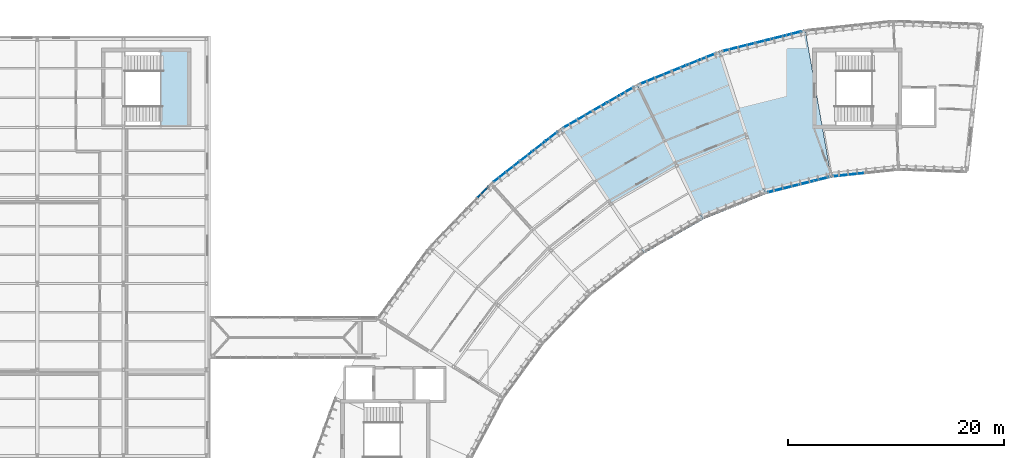
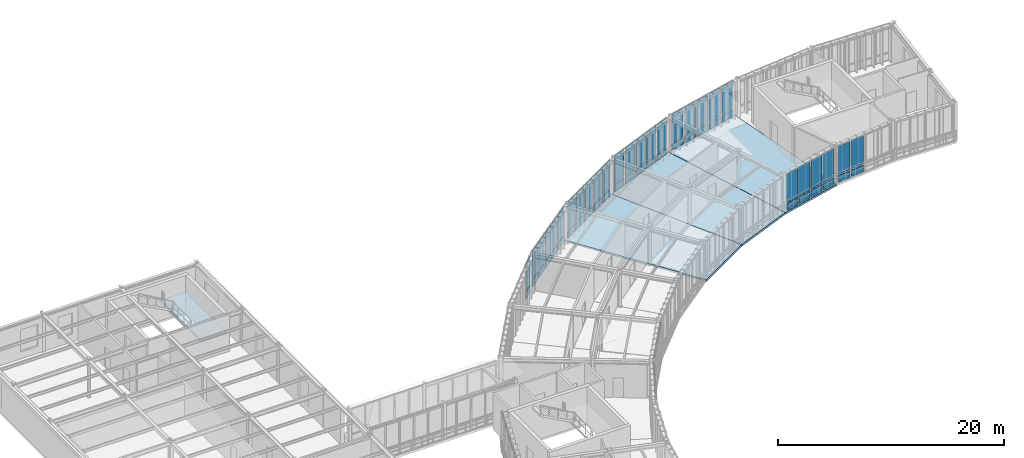
# One storey, part 28 of 52: 54 plates, 4 slabs, 8 elements without a shape of their own.
"""IFC4 building model written with IfcOpenShell, lengths in metres."""

from ifc_helpers import new_model, si_unit, direction, frame, origin, origin_2d, place, context, subcontext, project, spatial, polyline, rectangle, outline, extrude, material, layer, layer_set, type_object, element, aggregate, save


model = new_model("IFC4")

# Units and contexts
model_context = context("Model", 3, precision=1e-05, world=origin(), true_north=direction((0.0, 1.0)))
body_context = subcontext(model_context, "Body", "Model", "MODEL_VIEW")
ifc_project = project(units=[si_unit("LENGTHUNIT", "METRE"), si_unit("AREAUNIT", "SQUARE_METRE"), si_unit("VOLUMEUNIT", "CUBIC_METRE"), si_unit("PLANEANGLEUNIT", "RADIAN"), si_unit("MASSUNIT", "GRAM", prefix="KILO"), si_unit("THERMODYNAMICTEMPERATUREUNIT", "KELVIN"), si_unit("POWERUNIT", "WATT")], contexts=[model_context])

# Site, building, storey
site_placement = place(None, origin())
site = spatial("IfcSite", under=ifc_project, at=site_placement, CompositionType="ELEMENT")
building_placement = place(site_placement, origin())
building = spatial("IfcBuilding", under=site, at=building_placement, Name="Solvatero Civic Police Headquarters", CompositionType="ELEMENT")
storey_placement = place(building_placement, frame((0.0, 0.0, 13.5)))
storey = spatial("IfcBuildingStorey", under=building, at=storey_placement, Name="L03", CompositionType="ELEMENT", Elevation=13.5)

# Curtain wall, plate
ifc_material_1 = material(Name="Anodized Bronze Aluminium", Category="aluminium")
ifc_layer_1 = layer(ifc_material_1, 0.179931640625)
ifc_layer_set_1 = layer_set([ifc_layer_1], Name="Anodized Bronze Aluminium")
curtain_wall_type_1 = type_object("IfcCurtainWallType", Name="CW-ARC-IN", PredefinedType="USERDEFINED", material=ifc_layer_set_1)
curtain_wall_1_placement = place(storey_placement, origin())
curtain_wall_1 = element("IfcCurtainWall", 1, at=curtain_wall_1_placement, inside=storey, type_object=curtain_wall_type_1, Name="Curtain Wall CW-R2-L03-ARC-IN-B02", ObjectType="UNITISED", PredefinedType="USERDEFINED")
ifc_material_2 = material(Name="Triple Low-E Laminated Glass", Category="glass")
ifc_layer_2 = layer(ifc_material_2, 0.0380859375)
ifc_layer_set_2 = layer_set([ifc_layer_2], Name="Triple Low-E Laminated Glass")
plate_type_1 = type_object("IfcPlateType", Name="CWP-GLZ-38", PredefinedType="CURTAIN_PANEL", material=ifc_layer_set_2)
plate_1_placement = place(storey_placement, frame((88.51953125, 70.681884765625, 0.91015625), z_axis=(0.0, 0.0, 1.0), x_axis=(-0.994521895368, -0.104528463268, 0.0)))
plate_1 = element("IfcPlate", 2, at=plate_1_placement, type_object=plate_type_1, Name="CW-R2-L03-ARC-IN-B02 Vision Glazing 3", PredefinedType="CURTAIN_PANEL", context=body_context, shape_type="SweptSolid", body=[
    extrude(rectangle(XDim=1.29150390625, YDim=0.0380859375, at=origin_2d()), origin(), (0.0, 0.0, 1.0), 3.030029296875),
])

# Curtain wall, plates
ifc_layer_3 = layer(ifc_material_1, 0.179931640625)
ifc_layer_set_3 = layer_set([ifc_layer_3], Name="Anodized Bronze Aluminium")
curtain_wall_type_2 = type_object("IfcCurtainWallType", Name="CW-ARC-OUT", PredefinedType="USERDEFINED", material=ifc_layer_set_3)
curtain_wall_2_placement = place(storey_placement, origin())
curtain_wall_2 = element("IfcCurtainWall", 3, at=curtain_wall_2_placement, inside=storey, type_object=curtain_wall_type_2, Name="Curtain Wall CW-R2-L03-ARC-OUT-B03", ObjectType="UNITISED", PredefinedType="USERDEFINED")
plate_2_placement = place(storey_placement, frame((81.275390625, 83.362060546875, 0.91015625), z_axis=(0.0, 0.0, 1.0), x_axis=(-0.970295726276, -0.2419218956, 0.0)))
plate_2 = element("IfcPlate", 4, at=plate_2_placement, type_object=plate_type_1, Name="CW-R2-L03-ARC-OUT-B03 Vision Glazing 2", PredefinedType="CURTAIN_PANEL", context=body_context, shape_type="SweptSolid", body=[
    extrude(rectangle(XDim=1.3505859375, YDim=0.0380859375, at=origin_2d()), origin(), (0.0, 0.0, 1.0), 3.030029296875),
])
plate_3_placement = place(storey_placement, frame((78.305419921875, 82.62158203125, 0.91015625), z_axis=(0.0, 0.0, 1.0), x_axis=(-0.970295726276, -0.2419218956, 0.0)))
plate_3 = element("IfcPlate", 5, at=plate_3_placement, type_object=plate_type_1, Name="CW-R2-L03-ARC-OUT-B03 Vision Glazing 4", PredefinedType="CURTAIN_PANEL", context=body_context, shape_type="SweptSolid", body=[
    extrude(rectangle(XDim=1.3505859375, YDim=0.0380859375, at=origin_2d()), origin(), (0.0, 0.0, 1.0), 3.030029296875),
])

curtain_wall_3_placement = place(storey_placement, origin())
curtain_wall_3 = element("IfcCurtainWall", 6, at=curtain_wall_3_placement, inside=storey, type_object=curtain_wall_type_1, Name="Curtain Wall CW-R2-L03-ARC-IN-B03", ObjectType="UNITISED", PredefinedType="USERDEFINED")
plate_4_placement = place(storey_placement, frame((85.29248046875, 70.217041015625, 0.91015625), z_axis=(0.0, 0.0, 1.0), x_axis=(-0.970299948462, -0.241904960708, 0.0)))
plate_4 = element("IfcPlate", 7, at=plate_4_placement, type_object=plate_type_1, Name="CW-R2-L03-ARC-IN-B03 Vision Glazing 1", PredefinedType="CURTAIN_PANEL", context=body_context, shape_type="SweptSolid", body=[
    extrude(rectangle(XDim=1.297607421875, YDim=0.0380859375, at=origin_2d()), origin(), (0.0, 0.0, 1.0), 3.030029296875),
])
plate_5_placement = place(storey_placement, frame((82.425048828125, 69.501953125, 0.91015625), z_axis=(0.0, 0.0, 1.0), x_axis=(-0.970299948462, -0.241904960708, 0.0)))
plate_5 = element("IfcPlate", 8, at=plate_5_placement, type_object=plate_type_1, Name="CW-R2-L03-ARC-IN-B03 Vision Glazing 3", PredefinedType="CURTAIN_PANEL", context=body_context, shape_type="SweptSolid", body=[
    extrude(rectangle(XDim=1.297607421875, YDim=0.0380859375, at=origin_2d()), origin(), (0.0, 0.0, 1.0), 3.030029296875),
])

curtain_wall_4_placement = place(storey_placement, origin())
curtain_wall_4 = element("IfcCurtainWall", 9, at=curtain_wall_4_placement, inside=storey, type_object=curtain_wall_type_2, Name="Curtain Wall CW-R2-L03-ARC-OUT-B04", ObjectType="UNITISED", PredefinedType="USERDEFINED")
plate_6_placement = place(storey_placement, frame((73.416015625, 81.032958984375, 0.91015625), z_axis=(0.0, 0.0, 1.0), x_axis=(-0.927190392544, -0.374590410948, 0.0)))
plate_6 = element("IfcPlate", 10, at=plate_6_placement, type_object=plate_type_1, Name="CW-R2-L03-ARC-OUT-B04 Vision Glazing 2", PredefinedType="CURTAIN_PANEL", context=body_context, shape_type="SweptSolid", body=[
    extrude(rectangle(XDim=1.3505859375, YDim=0.0380859375, at=origin_2d()), origin(), (0.0, 0.0, 1.0), 3.030029296875),
])
plate_7_placement = place(storey_placement, frame((70.577880859375, 79.88623046875, 0.91015625), z_axis=(0.0, 0.0, 1.0), x_axis=(-0.927190392544, -0.374590410948, 0.0)))
plate_7 = element("IfcPlate", 11, at=plate_7_placement, type_object=plate_type_1, Name="CW-R2-L03-ARC-OUT-B04 Vision Glazing 4", PredefinedType="CURTAIN_PANEL", context=body_context, shape_type="SweptSolid", body=[
    extrude(rectangle(XDim=1.3505859375, YDim=0.0380859375, at=origin_2d()), origin(), (0.0, 0.0, 1.0), 3.030029296875),
])

curtain_wall_5_placement = place(storey_placement, origin())
curtain_wall_5 = element("IfcCurtainWall", 12, at=curtain_wall_5_placement, inside=storey, type_object=curtain_wall_type_2, Name="Curtain Wall CW-R2-L03-ARC-OUT-B05", ObjectType="UNITISED", PredefinedType="USERDEFINED")
plate_8_placement = place(storey_placement, frame((65.957275390625, 77.632568359375, 0.91015625), z_axis=(0.0, 0.0, 1.0), x_axis=(-0.866034130299, -0.499984884929, 0.0)))
plate_8 = element("IfcPlate", 13, at=plate_8_placement, type_object=plate_type_1, Name="CW-R2-L03-ARC-OUT-B05 Vision Glazing 2", PredefinedType="CURTAIN_PANEL", context=body_context, shape_type="SweptSolid", body=[
    extrude(rectangle(XDim=1.3505859375, YDim=0.0380859375, at=origin_2d()), origin(), (0.0, 0.0, 1.0), 3.030029296875),
])
plate_9_placement = place(storey_placement, frame((63.306396484375, 76.10205078125, 0.91015625), z_axis=(0.0, 0.0, 1.0), x_axis=(-0.866034130299, -0.499984884929, 0.0)))
plate_9 = element("IfcPlate", 14, at=plate_9_placement, type_object=plate_type_1, Name="CW-R2-L03-ARC-OUT-B05 Vision Glazing 4", PredefinedType="CURTAIN_PANEL", context=body_context, shape_type="SweptSolid", body=[
    extrude(rectangle(XDim=1.3505859375, YDim=0.0380859375, at=origin_2d()), origin(), (0.0, 0.0, 1.0), 3.030029296875),
])

curtain_wall_6_placement = place(storey_placement, origin())
curtain_wall_6 = element("IfcCurtainWall", 15, at=curtain_wall_6_placement, inside=storey, type_object=curtain_wall_type_2, Name="Curtain Wall CW-R2-L03-ARC-OUT-B06", ObjectType="UNITISED", PredefinedType="USERDEFINED")
plate_10_placement = place(storey_placement, frame((59.044189453125, 73.227294921875, 0.91015625), z_axis=(0.0, 0.0, 1.0), x_axis=(-0.788021498807, -0.61564772185, 0.0)))
plate_10 = element("IfcPlate", 16, at=plate_10_placement, type_object=plate_type_1, Name="CW-R2-L03-ARC-OUT-B06 Vision Glazing 2", PredefinedType="CURTAIN_PANEL", context=body_context, shape_type="SweptSolid", body=[
    extrude(rectangle(XDim=1.3505859375, YDim=0.0380859375, at=origin_2d()), origin(), (0.0, 0.0, 1.0), 3.030029296875),
])
plate_11_placement = place(storey_placement, frame((56.632080078125, 71.3427734375, 0.91015625), z_axis=(0.0, 0.0, 1.0), x_axis=(-0.788021498807, -0.61564772185, 0.0)))
plate_11 = element("IfcPlate", 17, at=plate_11_placement, type_object=plate_type_1, Name="CW-R2-L03-ARC-OUT-B06 Vision Glazing 4", PredefinedType="CURTAIN_PANEL", context=body_context, shape_type="SweptSolid", body=[
    extrude(rectangle(XDim=1.3505859375, YDim=0.0380859375, at=origin_2d()), origin(), (0.0, 0.0, 1.0), 3.030029296875),
])

# Plate
ifc_material_3 = material(Name="Acoustic Ballistic Laminated Glass", Category="glass")
ifc_layer_4 = layer(ifc_material_3, 0.0439453125)
ifc_layer_set_4 = layer_set([ifc_layer_4], Name="Acoustic Ballistic Laminated Glass")
plate_type_2 = type_object("IfcPlateType", Name="CWP-GLZ-44", PredefinedType="CURTAIN_PANEL", material=ifc_layer_set_4)
plate_12_placement = place(storey_placement, frame((87.056396484375, 70.5283203125, 0.91015625), z_axis=(0.0, 0.0, 1.0), x_axis=(-0.994521895368, -0.104528463268, 0.0)))
plate_12 = element("IfcPlate", 18, at=plate_12_placement, type_object=plate_type_2, Name="CW-R2-L03-ARC-IN-B02 Vision Glazing 4", PredefinedType="CURTAIN_PANEL", context=body_context, shape_type="SweptSolid", body=[
    extrude(rectangle(XDim=1.29150390625, YDim=0.0439453125, at=origin_2d()), origin(), (0.0, 0.0, 1.0), 3.030029296875),
])

plate_13_placement = place(storey_placement, frame((82.760498046875, 83.732421875, 0.91015625), z_axis=(0.0, 0.0, 1.0), x_axis=(-0.970295726276, -0.2419218956, 0.0)))
plate_13 = element("IfcPlate", 19, at=plate_13_placement, type_object=plate_type_2, Name="CW-R2-L03-ARC-OUT-B03 Vision Glazing 1", PredefinedType="CURTAIN_PANEL", context=body_context, shape_type="SweptSolid", body=[
    extrude(rectangle(XDim=1.3505859375, YDim=0.0439453125, at=origin_2d()), origin(), (0.0, 0.0, 1.0), 3.030029296875),
])

plate_14_placement = place(storey_placement, frame((79.790283203125, 82.99169921875, 0.91015625), z_axis=(0.0, 0.0, 1.0), x_axis=(-0.970295726276, -0.2419218956, 0.0)))
plate_14 = element("IfcPlate", 20, at=plate_14_placement, type_object=plate_type_2, Name="CW-R2-L03-ARC-OUT-B03 Vision Glazing 3", PredefinedType="CURTAIN_PANEL", context=body_context, shape_type="SweptSolid", body=[
    extrude(rectangle(XDim=1.3505859375, YDim=0.0439453125, at=origin_2d()), origin(), (0.0, 0.0, 1.0), 3.030029296875),
])

plate_15_placement = place(storey_placement, frame((76.8203125, 82.251220703125, 0.91015625), z_axis=(0.0, 0.0, 1.0), x_axis=(-0.970295726276, -0.2419218956, 0.0)))
plate_15 = element("IfcPlate", 21, at=plate_15_placement, type_object=plate_type_2, Name="CW-R2-L03-ARC-OUT-B03 Vision Glazing 5", PredefinedType="CURTAIN_PANEL", context=body_context, shape_type="SweptSolid", body=[
    extrude(rectangle(XDim=1.3505859375, YDim=0.0439453125, at=origin_2d()), origin(), (0.0, 0.0, 1.0), 3.030029296875),
])

plate_16_placement = place(storey_placement, frame((83.85888671875, 69.859619140625, 0.91015625), z_axis=(0.0, 0.0, 1.0), x_axis=(-0.970299948462, -0.241904960708, 0.0)))
plate_16 = element("IfcPlate", 22, at=plate_16_placement, type_object=plate_type_2, Name="CW-R2-L03-ARC-IN-B03 Vision Glazing 2", PredefinedType="CURTAIN_PANEL", context=body_context, shape_type="SweptSolid", body=[
    extrude(rectangle(XDim=1.297607421875, YDim=0.0439453125, at=origin_2d()), origin(), (0.0, 0.0, 1.0), 3.030029296875),
])

plate_17_placement = place(storey_placement, frame((80.9912109375, 69.14453125, 0.91015625), z_axis=(0.0, 0.0, 1.0), x_axis=(-0.970299948462, -0.241904960708, 0.0)))
plate_17 = element("IfcPlate", 23, at=plate_17_placement, type_object=plate_type_2, Name="CW-R2-L03-ARC-IN-B03 Vision Glazing 4", PredefinedType="CURTAIN_PANEL", context=body_context, shape_type="SweptSolid", body=[
    extrude(rectangle(XDim=1.297607421875, YDim=0.0439453125, at=origin_2d()), origin(), (0.0, 0.0, 1.0), 3.030029296875),
])

plate_18_placement = place(storey_placement, frame((74.835205078125, 81.606201171875, 0.91015625), z_axis=(0.0, 0.0, 1.0), x_axis=(-0.927190392544, -0.374590410948, 0.0)))
plate_18 = element("IfcPlate", 24, at=plate_18_placement, type_object=plate_type_2, Name="CW-R2-L03-ARC-OUT-B04 Vision Glazing 1", PredefinedType="CURTAIN_PANEL", context=body_context, shape_type="SweptSolid", body=[
    extrude(rectangle(XDim=1.3505859375, YDim=0.0439453125, at=origin_2d()), origin(), (0.0, 0.0, 1.0), 3.030029296875),
])

plate_19_placement = place(storey_placement, frame((71.996826171875, 80.459716796875, 0.91015625), z_axis=(0.0, 0.0, 1.0), x_axis=(-0.927190392544, -0.374590410948, 0.0)))
plate_19 = element("IfcPlate", 25, at=plate_19_placement, type_object=plate_type_2, Name="CW-R2-L03-ARC-OUT-B04 Vision Glazing 3", PredefinedType="CURTAIN_PANEL", context=body_context, shape_type="SweptSolid", body=[
    extrude(rectangle(XDim=1.3505859375, YDim=0.0439453125, at=origin_2d()), origin(), (0.0, 0.0, 1.0), 3.030029296875),
])

plate_20_placement = place(storey_placement, frame((69.15869140625, 79.31298828125, 0.91015625), z_axis=(0.0, 0.0, 1.0), x_axis=(-0.927190392544, -0.374590410948, 0.0)))
plate_20 = element("IfcPlate", 26, at=plate_20_placement, type_object=plate_type_2, Name="CW-R2-L03-ARC-OUT-B04 Vision Glazing 5", PredefinedType="CURTAIN_PANEL", context=body_context, shape_type="SweptSolid", body=[
    extrude(rectangle(XDim=1.3505859375, YDim=0.0439453125, at=origin_2d()), origin(), (0.0, 0.0, 1.0), 3.030029296875),
])

plate_21_placement = place(storey_placement, frame((67.28271484375, 78.397705078125, 0.91015625), z_axis=(0.0, 0.0, 1.0), x_axis=(-0.866034130299, -0.499984884929, 0.0)))
plate_21 = element("IfcPlate", 27, at=plate_21_placement, type_object=plate_type_2, Name="CW-R2-L03-ARC-OUT-B05 Vision Glazing 1", PredefinedType="CURTAIN_PANEL", context=body_context, shape_type="SweptSolid", body=[
    extrude(rectangle(XDim=1.3505859375, YDim=0.0439453125, at=origin_2d()), origin(), (0.0, 0.0, 1.0), 3.030029296875),
])

plate_22_placement = place(storey_placement, frame((64.631591796875, 76.8671875, 0.91015625), z_axis=(0.0, 0.0, 1.0), x_axis=(-0.866034130299, -0.499984884929, 0.0)))
plate_22 = element("IfcPlate", 28, at=plate_22_placement, type_object=plate_type_2, Name="CW-R2-L03-ARC-OUT-B05 Vision Glazing 3", PredefinedType="CURTAIN_PANEL", context=body_context, shape_type="SweptSolid", body=[
    extrude(rectangle(XDim=1.3505859375, YDim=0.0439453125, at=origin_2d()), origin(), (0.0, 0.0, 1.0), 3.030029296875),
])

plate_23_placement = place(storey_placement, frame((61.98095703125, 75.3369140625, 0.91015625), z_axis=(0.0, 0.0, 1.0), x_axis=(-0.866034130299, -0.499984884929, 0.0)))
plate_23 = element("IfcPlate", 29, at=plate_23_placement, type_object=plate_type_2, Name="CW-R2-L03-ARC-OUT-B05 Vision Glazing 5", PredefinedType="CURTAIN_PANEL", context=body_context, shape_type="SweptSolid", body=[
    extrude(rectangle(XDim=1.3505859375, YDim=0.0439453125, at=origin_2d()), origin(), (0.0, 0.0, 1.0), 3.030029296875),
])

plate_24_placement = place(storey_placement, frame((60.250244140625, 74.169677734375, 0.91015625), z_axis=(0.0, 0.0, 1.0), x_axis=(-0.788021498807, -0.61564772185, 0.0)))
plate_24 = element("IfcPlate", 30, at=plate_24_placement, type_object=plate_type_2, Name="CW-R2-L03-ARC-OUT-B06 Vision Glazing 1", PredefinedType="CURTAIN_PANEL", context=body_context, shape_type="SweptSolid", body=[
    extrude(rectangle(XDim=1.3505859375, YDim=0.0439453125, at=origin_2d()), origin(), (0.0, 0.0, 1.0), 3.030029296875),
])

plate_25_placement = place(storey_placement, frame((57.838134765625, 72.284912109375, 0.91015625), z_axis=(0.0, 0.0, 1.0), x_axis=(-0.788021498807, -0.61564772185, 0.0)))
plate_25 = element("IfcPlate", 31, at=plate_25_placement, type_object=plate_type_2, Name="CW-R2-L03-ARC-OUT-B06 Vision Glazing 3", PredefinedType="CURTAIN_PANEL", context=body_context, shape_type="SweptSolid", body=[
    extrude(rectangle(XDim=1.3505859375, YDim=0.0439453125, at=origin_2d()), origin(), (0.0, 0.0, 1.0), 3.030029296875),
])

plate_26_placement = place(storey_placement, frame((55.426025390625, 70.400390625, 0.91015625), z_axis=(0.0, 0.0, 1.0), x_axis=(-0.788021498807, -0.61564772185, 0.0)))
plate_26 = element("IfcPlate", 32, at=plate_26_placement, type_object=plate_type_2, Name="CW-R2-L03-ARC-OUT-B06 Vision Glazing 5", PredefinedType="CURTAIN_PANEL", context=body_context, shape_type="SweptSolid", body=[
    extrude(rectangle(XDim=1.3505859375, YDim=0.0439453125, at=origin_2d()), origin(), (0.0, 0.0, 1.0), 3.030029296875),
])

# Curtain wall, plate
curtain_wall_7_placement = place(storey_placement, origin())
curtain_wall_7 = element("IfcCurtainWall", 33, at=curtain_wall_7_placement, inside=storey, type_object=curtain_wall_type_2, Name="Curtain Wall CW-R2-L03-ARC-OUT-B07", ObjectType="UNITISED", PredefinedType="USERDEFINED")
plate_27_placement = place(storey_placement, frame((53.874755859375, 69.003662109375, 0.91015625), z_axis=(0.0, 0.0, 1.0), x_axis=(-0.694645815505, -0.719351924305, 0.0)))
plate_27 = element("IfcPlate", 34, at=plate_27_placement, type_object=plate_type_2, Name="CW-R2-L03-ARC-OUT-B07 Vision Glazing 1", PredefinedType="CURTAIN_PANEL", context=body_context, shape_type="SweptSolid", body=[
    extrude(rectangle(XDim=1.3505859375, YDim=0.0439453125, at=origin_2d()), origin(), (0.0, 0.0, 1.0), 3.030029296875),
])

# Plate
ifc_material_4 = material(Name="Insulated Bronze Aluminium Spandrel", Category="aluminium")
ifc_layer_5 = layer(ifc_material_4, 0.06005859375)
ifc_layer_set_5 = layer_set([ifc_layer_5], Name="Insulated Bronze Aluminium Spandrel")
plate_type_3 = type_object("IfcPlateType", Name="CWP-SPN-60", PredefinedType="CURTAIN_PANEL", material=ifc_layer_set_5)
plate_28_placement = place(storey_placement, frame((88.51953125, 70.681884765625, 0.06005859375), z_axis=(0.0, 0.0, 1.0), x_axis=(-0.994521895368, -0.104528463268, 0.0)))
plate_28 = element("IfcPlate", 35, at=plate_28_placement, type_object=plate_type_3, Name="CW-R2-L03-ARC-IN-B02 Spandrel Panel 3", PredefinedType="CURTAIN_PANEL", context=body_context, shape_type="SweptSolid", body=[
    extrude(rectangle(XDim=1.29150390625, YDim=0.06005859375, at=origin_2d()), origin(), (0.0, 0.0, 1.0), 0.72998046875),
])

plate_29_placement = place(storey_placement, frame((81.275390625, 83.362060546875, 0.06005859375), z_axis=(0.0, 0.0, 1.0), x_axis=(-0.970295726276, -0.2419218956, 0.0)))
plate_29 = element("IfcPlate", 36, at=plate_29_placement, type_object=plate_type_3, Name="CW-R2-L03-ARC-OUT-B03 Spandrel Panel 2", PredefinedType="CURTAIN_PANEL", context=body_context, shape_type="SweptSolid", body=[
    extrude(rectangle(XDim=1.3505859375, YDim=0.06005859375, at=origin_2d()), origin(), (0.0, 0.0, 1.0), 0.72998046875),
])

plate_30_placement = place(storey_placement, frame((78.305419921875, 82.62158203125, 0.06005859375), z_axis=(0.0, 0.0, 1.0), x_axis=(-0.970295726276, -0.2419218956, 0.0)))
plate_30 = element("IfcPlate", 37, at=plate_30_placement, type_object=plate_type_3, Name="CW-R2-L03-ARC-OUT-B03 Spandrel Panel 4", PredefinedType="CURTAIN_PANEL", context=body_context, shape_type="SweptSolid", body=[
    extrude(rectangle(XDim=1.3505859375, YDim=0.06005859375, at=origin_2d()), origin(), (0.0, 0.0, 1.0), 0.72998046875),
])

plate_31_placement = place(storey_placement, frame((85.29248046875, 70.217041015625, 0.06005859375), z_axis=(0.0, 0.0, 1.0), x_axis=(-0.970299948462, -0.241904960708, 0.0)))
plate_31 = element("IfcPlate", 38, at=plate_31_placement, type_object=plate_type_3, Name="CW-R2-L03-ARC-IN-B03 Spandrel Panel 1", PredefinedType="CURTAIN_PANEL", context=body_context, shape_type="SweptSolid", body=[
    extrude(rectangle(XDim=1.297607421875, YDim=0.06005859375, at=origin_2d()), origin(), (0.0, 0.0, 1.0), 0.72998046875),
])

plate_32_placement = place(storey_placement, frame((82.425048828125, 69.501953125, 0.06005859375), z_axis=(0.0, 0.0, 1.0), x_axis=(-0.970299948462, -0.241904960708, 0.0)))
plate_32 = element("IfcPlate", 39, at=plate_32_placement, type_object=plate_type_3, Name="CW-R2-L03-ARC-IN-B03 Spandrel Panel 3", PredefinedType="CURTAIN_PANEL", context=body_context, shape_type="SweptSolid", body=[
    extrude(rectangle(XDim=1.297607421875, YDim=0.06005859375, at=origin_2d()), origin(), (0.0, 0.0, 1.0), 0.72998046875),
])

plate_33_placement = place(storey_placement, frame((73.416015625, 81.032958984375, 0.06005859375), z_axis=(0.0, 0.0, 1.0), x_axis=(-0.927190392544, -0.374590410948, 0.0)))
plate_33 = element("IfcPlate", 40, at=plate_33_placement, type_object=plate_type_3, Name="CW-R2-L03-ARC-OUT-B04 Spandrel Panel 2", PredefinedType="CURTAIN_PANEL", context=body_context, shape_type="SweptSolid", body=[
    extrude(rectangle(XDim=1.3505859375, YDim=0.06005859375, at=origin_2d()), origin(), (0.0, 0.0, 1.0), 0.72998046875),
])

plate_34_placement = place(storey_placement, frame((70.577880859375, 79.88623046875, 0.06005859375), z_axis=(0.0, 0.0, 1.0), x_axis=(-0.927190392544, -0.374590410948, 0.0)))
plate_34 = element("IfcPlate", 41, at=plate_34_placement, type_object=plate_type_3, Name="CW-R2-L03-ARC-OUT-B04 Spandrel Panel 4", PredefinedType="CURTAIN_PANEL", context=body_context, shape_type="SweptSolid", body=[
    extrude(rectangle(XDim=1.3505859375, YDim=0.06005859375, at=origin_2d()), origin(), (0.0, 0.0, 1.0), 0.72998046875),
])

plate_35_placement = place(storey_placement, frame((65.957275390625, 77.632568359375, 0.06005859375), z_axis=(0.0, 0.0, 1.0), x_axis=(-0.866034130299, -0.499984884929, 0.0)))
plate_35 = element("IfcPlate", 42, at=plate_35_placement, type_object=plate_type_3, Name="CW-R2-L03-ARC-OUT-B05 Spandrel Panel 2", PredefinedType="CURTAIN_PANEL", context=body_context, shape_type="SweptSolid", body=[
    extrude(rectangle(XDim=1.3505859375, YDim=0.06005859375, at=origin_2d()), origin(), (0.0, 0.0, 1.0), 0.72998046875),
])

plate_36_placement = place(storey_placement, frame((63.306396484375, 76.10205078125, 0.06005859375), z_axis=(0.0, 0.0, 1.0), x_axis=(-0.866034130299, -0.499984884929, 0.0)))
plate_36 = element("IfcPlate", 43, at=plate_36_placement, type_object=plate_type_3, Name="CW-R2-L03-ARC-OUT-B05 Spandrel Panel 4", PredefinedType="CURTAIN_PANEL", context=body_context, shape_type="SweptSolid", body=[
    extrude(rectangle(XDim=1.3505859375, YDim=0.06005859375, at=origin_2d()), origin(), (0.0, 0.0, 1.0), 0.72998046875),
])

plate_37_placement = place(storey_placement, frame((59.044189453125, 73.227294921875, 0.06005859375), z_axis=(0.0, 0.0, 1.0), x_axis=(-0.788021498807, -0.61564772185, 0.0)))
plate_37 = element("IfcPlate", 44, at=plate_37_placement, type_object=plate_type_3, Name="CW-R2-L03-ARC-OUT-B06 Spandrel Panel 2", PredefinedType="CURTAIN_PANEL", context=body_context, shape_type="SweptSolid", body=[
    extrude(rectangle(XDim=1.3505859375, YDim=0.06005859375, at=origin_2d()), origin(), (0.0, 0.0, 1.0), 0.72998046875),
])

plate_38_placement = place(storey_placement, frame((56.632080078125, 71.3427734375, 0.06005859375), z_axis=(0.0, 0.0, 1.0), x_axis=(-0.788021498807, -0.61564772185, 0.0)))
plate_38 = element("IfcPlate", 45, at=plate_38_placement, type_object=plate_type_3, Name="CW-R2-L03-ARC-OUT-B06 Spandrel Panel 4", PredefinedType="CURTAIN_PANEL", context=body_context, shape_type="SweptSolid", body=[
    extrude(rectangle(XDim=1.3505859375, YDim=0.06005859375, at=origin_2d()), origin(), (0.0, 0.0, 1.0), 0.72998046875),
])

ifc_material_5 = material(Name="Limestone Veneer Spandrel Panel", Category="masonry")
ifc_layer_6 = layer(ifc_material_5, 0.074951171875)
ifc_layer_set_6 = layer_set([ifc_layer_6], Name="Limestone Veneer Spandrel Panel")
plate_type_4 = type_object("IfcPlateType", Name="CWP-SPN-75", PredefinedType="CURTAIN_PANEL", material=ifc_layer_set_6)
plate_39_placement = place(storey_placement, frame((87.056396484375, 70.5283203125, 0.06005859375), z_axis=(0.0, 0.0, 1.0), x_axis=(-0.994521895368, -0.104528463268, 0.0)))
plate_39 = element("IfcPlate", 46, at=plate_39_placement, type_object=plate_type_4, Name="CW-R2-L03-ARC-IN-B02 Spandrel Panel 4", PredefinedType="CURTAIN_PANEL", context=body_context, shape_type="SweptSolid", body=[
    extrude(rectangle(XDim=1.29150390625, YDim=0.074951171875, at=origin_2d()), origin(), (0.0, 0.0, 1.0), 0.72998046875),
])

aggregate(curtain_wall_1, [plate_28, plate_1, plate_39, plate_12])

plate_40_placement = place(storey_placement, frame((82.760498046875, 83.732421875, 0.06005859375), z_axis=(0.0, 0.0, 1.0), x_axis=(-0.970295726276, -0.2419218956, 0.0)))
plate_40 = element("IfcPlate", 47, at=plate_40_placement, type_object=plate_type_4, Name="CW-R2-L03-ARC-OUT-B03 Spandrel Panel 1", PredefinedType="CURTAIN_PANEL", context=body_context, shape_type="SweptSolid", body=[
    extrude(rectangle(XDim=1.3505859375, YDim=0.074951171875, at=origin_2d()), origin(), (0.0, 0.0, 1.0), 0.72998046875),
])

plate_41_placement = place(storey_placement, frame((79.790283203125, 82.99169921875, 0.06005859375), z_axis=(0.0, 0.0, 1.0), x_axis=(-0.970295726276, -0.2419218956, 0.0)))
plate_41 = element("IfcPlate", 48, at=plate_41_placement, type_object=plate_type_4, Name="CW-R2-L03-ARC-OUT-B03 Spandrel Panel 3", PredefinedType="CURTAIN_PANEL", context=body_context, shape_type="SweptSolid", body=[
    extrude(rectangle(XDim=1.3505859375, YDim=0.074951171875, at=origin_2d()), origin(), (0.0, 0.0, 1.0), 0.72998046875),
])

plate_42_placement = place(storey_placement, frame((76.8203125, 82.251220703125, 0.06005859375), z_axis=(0.0, 0.0, 1.0), x_axis=(-0.970295726276, -0.2419218956, 0.0)))
plate_42 = element("IfcPlate", 49, at=plate_42_placement, type_object=plate_type_4, Name="CW-R2-L03-ARC-OUT-B03 Spandrel Panel 5", PredefinedType="CURTAIN_PANEL", context=body_context, shape_type="SweptSolid", body=[
    extrude(rectangle(XDim=1.3505859375, YDim=0.074951171875, at=origin_2d()), origin(), (0.0, 0.0, 1.0), 0.72998046875),
])

aggregate(curtain_wall_2, [plate_40, plate_13, plate_29, plate_2, plate_41, plate_14, plate_30, plate_3, plate_42, plate_15])

plate_43_placement = place(storey_placement, frame((83.85888671875, 69.859619140625, 0.06005859375), z_axis=(0.0, 0.0, 1.0), x_axis=(-0.970299948462, -0.241904960708, 0.0)))
plate_43 = element("IfcPlate", 50, at=plate_43_placement, type_object=plate_type_4, Name="CW-R2-L03-ARC-IN-B03 Spandrel Panel 2", PredefinedType="CURTAIN_PANEL", context=body_context, shape_type="SweptSolid", body=[
    extrude(rectangle(XDim=1.297607421875, YDim=0.074951171875, at=origin_2d()), origin(), (0.0, 0.0, 1.0), 0.72998046875),
])

plate_44_placement = place(storey_placement, frame((80.9912109375, 69.14453125, 0.06005859375), z_axis=(0.0, 0.0, 1.0), x_axis=(-0.970299948462, -0.241904960708, 0.0)))
plate_44 = element("IfcPlate", 51, at=plate_44_placement, type_object=plate_type_4, Name="CW-R2-L03-ARC-IN-B03 Spandrel Panel 4", PredefinedType="CURTAIN_PANEL", context=body_context, shape_type="SweptSolid", body=[
    extrude(rectangle(XDim=1.297607421875, YDim=0.074951171875, at=origin_2d()), origin(), (0.0, 0.0, 1.0), 0.72998046875),
])

aggregate(curtain_wall_3, [plate_31, plate_4, plate_43, plate_16, plate_32, plate_5, plate_44, plate_17])

plate_45_placement = place(storey_placement, frame((74.835205078125, 81.606201171875, 0.06005859375), z_axis=(0.0, 0.0, 1.0), x_axis=(-0.927190392544, -0.374590410948, 0.0)))
plate_45 = element("IfcPlate", 52, at=plate_45_placement, type_object=plate_type_4, Name="CW-R2-L03-ARC-OUT-B04 Spandrel Panel 1", PredefinedType="CURTAIN_PANEL", context=body_context, shape_type="SweptSolid", body=[
    extrude(rectangle(XDim=1.3505859375, YDim=0.074951171875, at=origin_2d()), origin(), (0.0, 0.0, 1.0), 0.72998046875),
])

plate_46_placement = place(storey_placement, frame((71.996826171875, 80.459716796875, 0.06005859375), z_axis=(0.0, 0.0, 1.0), x_axis=(-0.927190392544, -0.374590410948, 0.0)))
plate_46 = element("IfcPlate", 53, at=plate_46_placement, type_object=plate_type_4, Name="CW-R2-L03-ARC-OUT-B04 Spandrel Panel 3", PredefinedType="CURTAIN_PANEL", context=body_context, shape_type="SweptSolid", body=[
    extrude(rectangle(XDim=1.3505859375, YDim=0.074951171875, at=origin_2d()), origin(), (0.0, 0.0, 1.0), 0.72998046875),
])

plate_47_placement = place(storey_placement, frame((69.15869140625, 79.31298828125, 0.06005859375), z_axis=(0.0, 0.0, 1.0), x_axis=(-0.927190392544, -0.374590410948, 0.0)))
plate_47 = element("IfcPlate", 54, at=plate_47_placement, type_object=plate_type_4, Name="CW-R2-L03-ARC-OUT-B04 Spandrel Panel 5", PredefinedType="CURTAIN_PANEL", context=body_context, shape_type="SweptSolid", body=[
    extrude(rectangle(XDim=1.3505859375, YDim=0.074951171875, at=origin_2d()), origin(), (0.0, 0.0, 1.0), 0.72998046875),
])

aggregate(curtain_wall_4, [plate_45, plate_18, plate_33, plate_6, plate_46, plate_19, plate_34, plate_7, plate_47, plate_20])

plate_48_placement = place(storey_placement, frame((67.28271484375, 78.397705078125, 0.06005859375), z_axis=(0.0, 0.0, 1.0), x_axis=(-0.866034130299, -0.499984884929, 0.0)))
plate_48 = element("IfcPlate", 55, at=plate_48_placement, type_object=plate_type_4, Name="CW-R2-L03-ARC-OUT-B05 Spandrel Panel 1", PredefinedType="CURTAIN_PANEL", context=body_context, shape_type="SweptSolid", body=[
    extrude(rectangle(XDim=1.3505859375, YDim=0.074951171875, at=origin_2d()), origin(), (0.0, 0.0, 1.0), 0.72998046875),
])

plate_49_placement = place(storey_placement, frame((64.631591796875, 76.8671875, 0.06005859375), z_axis=(0.0, 0.0, 1.0), x_axis=(-0.866034130299, -0.499984884929, 0.0)))
plate_49 = element("IfcPlate", 56, at=plate_49_placement, type_object=plate_type_4, Name="CW-R2-L03-ARC-OUT-B05 Spandrel Panel 3", PredefinedType="CURTAIN_PANEL", context=body_context, shape_type="SweptSolid", body=[
    extrude(rectangle(XDim=1.3505859375, YDim=0.074951171875, at=origin_2d()), origin(), (0.0, 0.0, 1.0), 0.72998046875),
])

plate_50_placement = place(storey_placement, frame((61.98095703125, 75.3369140625, 0.06005859375), z_axis=(0.0, 0.0, 1.0), x_axis=(-0.866034130299, -0.499984884929, 0.0)))
plate_50 = element("IfcPlate", 57, at=plate_50_placement, type_object=plate_type_4, Name="CW-R2-L03-ARC-OUT-B05 Spandrel Panel 5", PredefinedType="CURTAIN_PANEL", context=body_context, shape_type="SweptSolid", body=[
    extrude(rectangle(XDim=1.3505859375, YDim=0.074951171875, at=origin_2d()), origin(), (0.0, 0.0, 1.0), 0.72998046875),
])

aggregate(curtain_wall_5, [plate_48, plate_21, plate_35, plate_8, plate_49, plate_22, plate_36, plate_9, plate_50, plate_23])

plate_51_placement = place(storey_placement, frame((60.250244140625, 74.169677734375, 0.06005859375), z_axis=(0.0, 0.0, 1.0), x_axis=(-0.788021498807, -0.61564772185, 0.0)))
plate_51 = element("IfcPlate", 58, at=plate_51_placement, type_object=plate_type_4, Name="CW-R2-L03-ARC-OUT-B06 Spandrel Panel 1", PredefinedType="CURTAIN_PANEL", context=body_context, shape_type="SweptSolid", body=[
    extrude(rectangle(XDim=1.3505859375, YDim=0.074951171875, at=origin_2d()), origin(), (0.0, 0.0, 1.0), 0.72998046875),
])

plate_52_placement = place(storey_placement, frame((57.838134765625, 72.284912109375, 0.06005859375), z_axis=(0.0, 0.0, 1.0), x_axis=(-0.788021498807, -0.61564772185, 0.0)))
plate_52 = element("IfcPlate", 59, at=plate_52_placement, type_object=plate_type_4, Name="CW-R2-L03-ARC-OUT-B06 Spandrel Panel 3", PredefinedType="CURTAIN_PANEL", context=body_context, shape_type="SweptSolid", body=[
    extrude(rectangle(XDim=1.3505859375, YDim=0.074951171875, at=origin_2d()), origin(), (0.0, 0.0, 1.0), 0.72998046875),
])

plate_53_placement = place(storey_placement, frame((55.426025390625, 70.400390625, 0.06005859375), z_axis=(0.0, 0.0, 1.0), x_axis=(-0.788021498807, -0.61564772185, 0.0)))
plate_53 = element("IfcPlate", 60, at=plate_53_placement, type_object=plate_type_4, Name="CW-R2-L03-ARC-OUT-B06 Spandrel Panel 5", PredefinedType="CURTAIN_PANEL", context=body_context, shape_type="SweptSolid", body=[
    extrude(rectangle(XDim=1.3505859375, YDim=0.074951171875, at=origin_2d()), origin(), (0.0, 0.0, 1.0), 0.72998046875),
])

aggregate(curtain_wall_6, [plate_51, plate_24, plate_37, plate_10, plate_52, plate_25, plate_38, plate_11, plate_53, plate_26])

plate_54_placement = place(storey_placement, frame((53.874755859375, 69.003662109375, 0.06005859375), z_axis=(0.0, 0.0, 1.0), x_axis=(-0.694645815505, -0.719351924305, 0.0)))
plate_54 = element("IfcPlate", 61, at=plate_54_placement, type_object=plate_type_4, Name="CW-R2-L03-ARC-OUT-B07 Spandrel Panel 1", PredefinedType="CURTAIN_PANEL", context=body_context, shape_type="SweptSolid", body=[
    extrude(rectangle(XDim=1.3505859375, YDim=0.074951171875, at=origin_2d()), origin(), (0.0, 0.0, 1.0), 0.72998046875),
])

aggregate(curtain_wall_7, [plate_54, plate_27])

# Slabs
ifc_material_6 = material(Name="Concrete C35/45", Category="concrete")
ifc_layer_7 = layer(ifc_material_6, 0.199951171875)
ifc_layer_set_7 = layer_set([ifc_layer_7], Name="Concrete C35/45")
slab_type_1 = type_object("IfcSlabType", Name="SLB-COMP-200", PredefinedType="FLOOR", material=ifc_layer_set_7)
slab_1_placement = place(storey_placement, frame((0.0, 0.0, -0.199951171875)))
element("IfcSlab", 62, at=slab_1_placement, inside=storey, type_object=slab_type_1, Name="L03 Operations Arc Floor Slab Bay 3", PredefinedType="FLOOR", context=body_context, shape_type="SweptSolid", body=[
    extrude(outline(polyline([(83.7529296875, 84.103271484375), (86.183837890625, 70.31591796875), (80.09423828125, 68.797607421875), (75.76806640625, 82.1123046875), (83.7529296875, 84.103271484375)])), origin(), (0.0, 0.0, 1.0), 0.199951171875),
])
slab_2_placement = place(storey_placement, frame((0.0, 0.0, -0.199951171875)))
element("IfcSlab", 63, at=slab_2_placement, inside=storey, type_object=slab_type_1, Name="L03 Operations Arc Floor Slab Bay 4", PredefinedType="FLOOR", context=body_context, shape_type="SweptSolid", body=[
    extrude(outline(polyline([(75.76611328125, 82.111572265625), (80.09228515625, 68.796630859375), (74.273193359375, 66.44580078125), (68.135986328125, 79.02880859375), (75.76611328125, 82.111572265625)])), origin(), (0.0, 0.0, 1.0), 0.199951171875),
])
slab_3_placement = place(storey_placement, frame((0.0, 0.0, -0.199951171875)))
element("IfcSlab", 64, at=slab_3_placement, inside=storey, type_object=slab_type_1, Name="L03 Operations Arc Floor Slab Bay 5", PredefinedType="FLOOR", context=body_context, shape_type="SweptSolid", body=[
    extrude(outline(polyline([(68.134521484375, 79.02783203125), (74.271484375, 66.444580078125), (68.836181640625, 63.306640625), (61.007568359375, 74.9130859375), (68.134521484375, 79.02783203125)])), origin(), (0.0, 0.0, 1.0), 0.199951171875),
])

# Stair, slab
ifc_material_7 = material(Name="Precast concrete C40/50", Category="concrete")
stair_type = type_object("IfcStairType", Name="STR-C145-420", PredefinedType="HALF_TURN_STAIR", material=ifc_material_7)
stair_placement = place(storey_placement, origin())
stair = element("IfcStair", 65, at=stair_placement, inside=storey, type_object=stair_type, Name="Protected Exit Stair ST-C4 (L03 to L04)", PredefinedType="HALF_TURN_STAIR")
ifc_layer_8 = layer(ifc_material_7, 0.199951171875)
ifc_layer_set_8 = layer_set([ifc_layer_8], Name="Precast concrete C40/50")
slab_type_2 = type_object("IfcSlabType", Name="SLB-LND-200", PredefinedType="LANDING", material=ifc_layer_set_8)
slab_4_placement = place(storey_placement, frame((0.0, 0.0, 1.89990234375)))
slab_4 = element("IfcSlab", 66, at=slab_4_placement, type_object=slab_type_2, Name="ST-C4 L03 Half-Landing", PredefinedType="LANDING", context=body_context, shape_type="SweptSolid", body=[
    extrude(outline(polyline([(23.93994140625, 75.050048828125), (26.550048828125, 75.050048828125), (26.550048828125, 82.14990234375), (23.93994140625, 82.14990234375), (23.93994140625, 75.050048828125)])), origin(), (0.0, 0.0, 1.0), 0.2001953125),
])
aggregate(stair, [slab_4])

save(model, "model.ifc")
